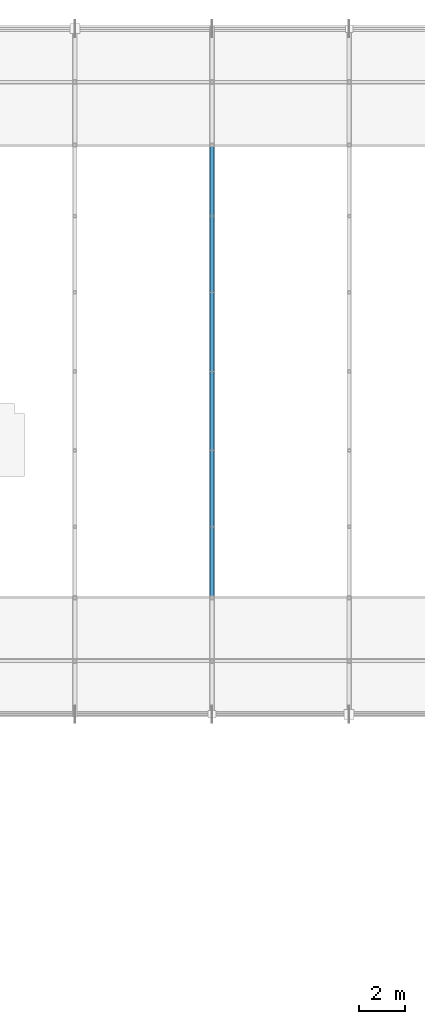
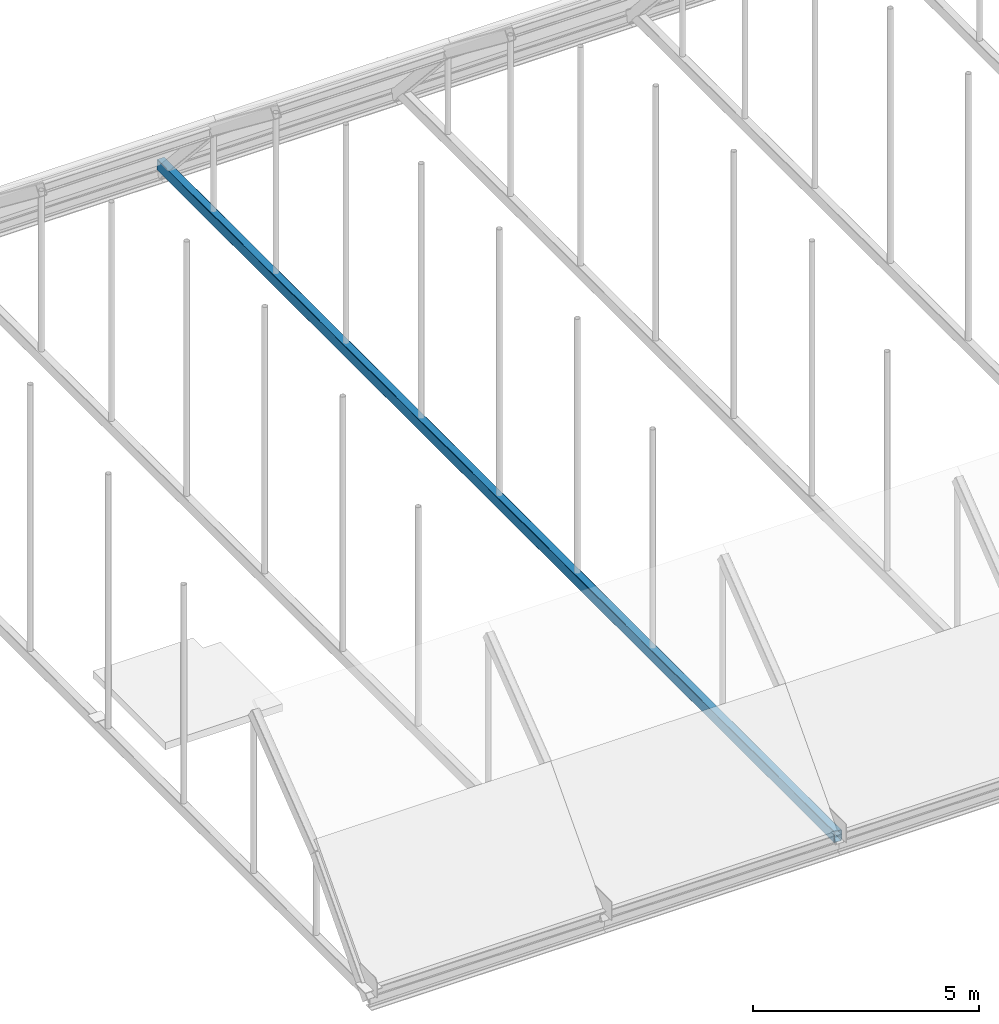
# One storey, part 27 of 63: 1 member.
"""IFC4 building model written with IfcOpenShell, lengths in metres."""

from ifc_helpers import new_model, si_unit, direction, frame, origin, origin_2d, place, context, subcontext, project, spatial, hollow_rectangle, extrude, material, material_profile, profile_set, type_object, element, save


model = new_model("IFC4")

# Units and contexts
model_context = context("Model", 3, precision=1e-05, world=origin(), true_north=direction((0.0, 1.0)))
body_context = subcontext(model_context, "Body", "Model", "MODEL_VIEW")
ifc_project = project(units=[si_unit("LENGTHUNIT", "METRE"), si_unit("AREAUNIT", "SQUARE_METRE"), si_unit("VOLUMEUNIT", "CUBIC_METRE"), si_unit("PLANEANGLEUNIT", "RADIAN"), si_unit("MASSUNIT", "GRAM", prefix="KILO")], contexts=[model_context])

# Site, building, storey
site_placement = place(None, origin())
site = spatial("IfcSite", under=ifc_project, at=site_placement, CompositionType="ELEMENT")
building_placement = place(site_placement, origin())
building = spatial("IfcBuilding", under=site, at=building_placement, Name="Varnakota Square Police Headquarters", CompositionType="ELEMENT")
storey_placement = place(building_placement, frame((0.0, 0.0, 22.199951171875)))
storey = spatial("IfcBuildingStorey", under=building, at=storey_placement, Name="L05", CompositionType="ELEMENT", Elevation=22.199951171875)

# Member
ifc_material = material(Name="Steel IS 2062 Grade 350", Category="steel")
ifc_material_profile = material_profile(ifc_material, hollow_rectangle(XDim=0.199951171875, YDim=0.300048828125, WallThickness=0.011962890625, InnerFilletRadius=0.011962890625, OuterFilletRadius=0.02392578125, at=origin_2d()), Name="RHS 300x200x12")
ifc_profile_set = profile_set([ifc_material_profile], Name="Steel IS 2062 Grade 350")
member_type = type_object("IfcMemberType", Name="MEM-TIE-RHS300", PredefinedType="CHORD", material=ifc_profile_set)
member_placement = place(storey_placement, frame((72.0, 69.0, -0.14990234375), z_axis=(0.0, 1.0, 0.0), x_axis=(-1.0, 0.0, 0.0)))
element("IfcMember", 1, at=member_placement, inside=storey, type_object=member_type, Name="Barrel vault tie rod V2-R03", PredefinedType="CHORD", context=body_context, shape_type="SweptSolid", body=[
    extrude(hollow_rectangle(XDim=0.199951171875, YDim=0.300048828125, WallThickness=0.011962890625, InnerFilletRadius=0.011962890625, OuterFilletRadius=0.02392578125, at=origin_2d()), origin(), (0.0, 0.0, 1.0), 30.0),
])

save(model, "model.ifc")
